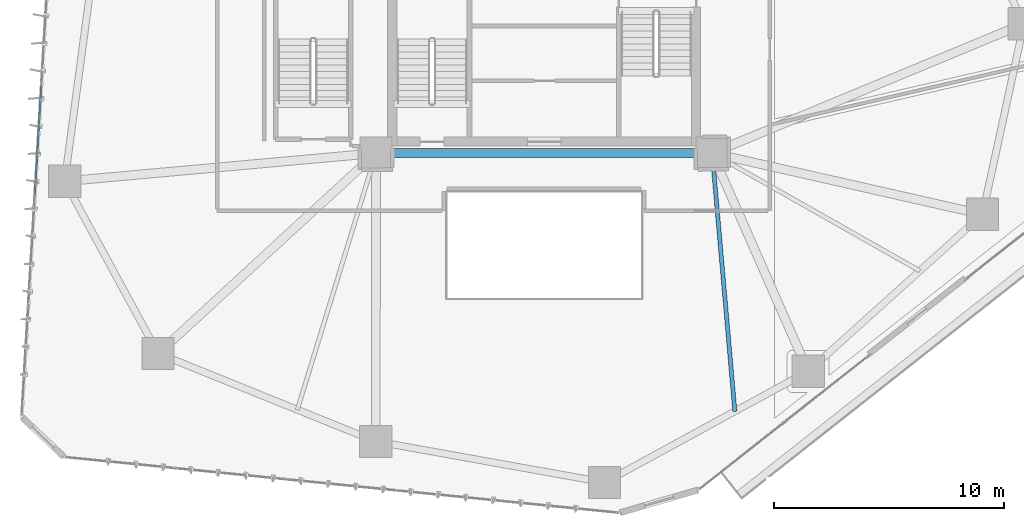
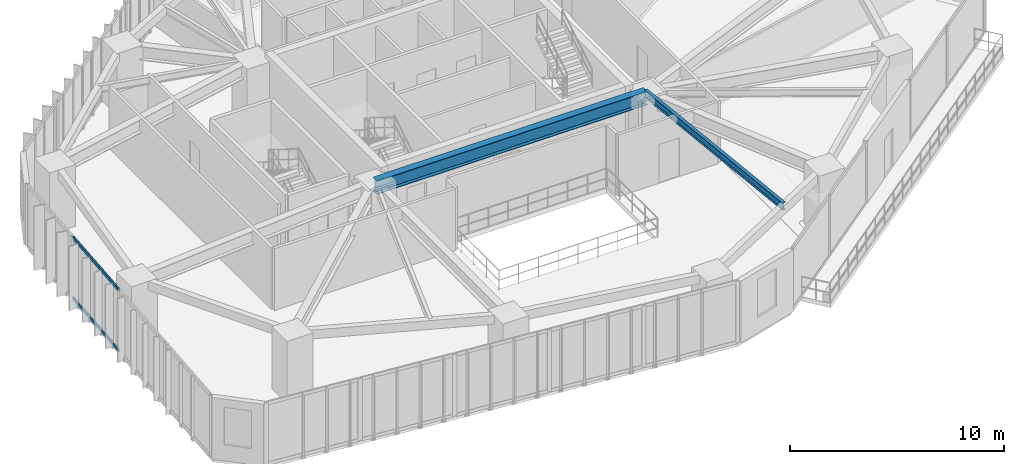
# One storey, part 5 of 24: 2 beams, 2 members, 1 element without a shape of its own.
"""IFC4 building model written with IfcOpenShell, lengths in metres."""

from ifc_helpers import new_model, si_unit, direction, frame, origin, origin_2d, place, context, subcontext, project, spatial, hollow_rectangle, i_section, extrude, source, transform, mapped, material, layer, layer_set, material_profile, profile_set, type_object, type_shapes, element, aggregate, save


model = new_model("IFC4")

# Units and contexts
model_context = context("Model", 3, precision=1e-05, world=origin(), true_north=direction((0.0, 1.0)))
body_context = subcontext(model_context, "Body", "Model", "MODEL_VIEW")
ifc_project = project(units=[si_unit("LENGTHUNIT", "METRE"), si_unit("AREAUNIT", "SQUARE_METRE"), si_unit("VOLUMEUNIT", "CUBIC_METRE"), si_unit("PLANEANGLEUNIT", "RADIAN"), si_unit("MASSUNIT", "GRAM", prefix="KILO")], contexts=[model_context])

# Site, building, storey
site_placement = place(None, origin())
site = spatial("IfcSite", under=ifc_project, at=site_placement, CompositionType="ELEMENT")
building_placement = place(site_placement, origin())
building = spatial("IfcBuilding", under=site, at=building_placement, Name="Talar Marvaseh", CompositionType="ELEMENT")
storey_placement = place(building_placement, frame((0.0, 0.0, 73.39990234375)))
storey = spatial("IfcBuildingStorey", under=building, at=storey_placement, Name="L18", CompositionType="ELEMENT", Elevation=73.39990234375)

# Beams
ifc_material_1 = material(Name="Steel S355", Category="steel")
ifc_material_profile_1 = material_profile(ifc_material_1, i_section(OverallWidth=0.381103515625, OverallDepth=0.77294921875, WebThickness=0.0166015625, FlangeThickness=0.027099609375, at=origin_2d()), Name="W760x257")
ifc_profile_set_1 = profile_set([ifc_material_profile_1], Name="Steel S355")
beam_type_1 = type_object("IfcBeamType", Name="Zone 1 Radial Floor Girder W760x257", PredefinedType="BEAM", material=ifc_profile_set_1)
beam_1_placement = place(storey_placement, frame((18.699951171875, 25.5, 3.133544921875), z_axis=(1.0, 0.0, 0.0), x_axis=(0.0, 1.0, 0.0)))
element("IfcBeam", 1, at=beam_1_placement, inside=storey, type_object=beam_type_1, Name="L18 Zone 1 Radial Floor Girder W760x257", PredefinedType="BEAM", context=body_context, shape_type="SweptSolid", body=[
    extrude(i_section(OverallWidth=0.381103515625, OverallDepth=0.77294921875, WebThickness=0.0166015625, FlangeThickness=0.027099609375, at=origin_2d()), origin(), (0.0, 0.0, 1.0), 14.60009765625),
])
ifc_material_profile_2 = material_profile(ifc_material_1, i_section(OverallWidth=0.179931640625, OverallDepth=0.4130859375, WebThickness=0.009765625, FlangeThickness=0.01611328125, at=origin_2d()), Name="W410x75")
ifc_profile_set_2 = profile_set([ifc_material_profile_2], Name="Steel S355")
beam_type_2 = type_object("IfcBeamType", Name="Zone 1 Secondary Floor Joist W410x75", PredefinedType="JOIST", material=ifc_profile_set_2)
beam_2_placement = place(storey_placement, frame((34.284423828125, 14.28369140625, 3.3134765625), z_axis=(-0.08742678295, 0.996170947992, 0.0), x_axis=(-0.996170947992, -0.08742678295, 0.0)))
element("IfcBeam", 2, at=beam_2_placement, inside=storey, type_object=beam_type_2, Name="L18 Zone 1 Secondary Floor Joist W410x75", PredefinedType="JOIST", context=body_context, shape_type="SweptSolid", body=[
    extrude(i_section(OverallWidth=0.179931640625, OverallDepth=0.4130859375, WebThickness=0.009765625, FlangeThickness=0.01611328125, at=origin_2d()), origin(), (0.0, 0.0, 1.0), 11.259521484375),
])

# Curtain wall, members
ifc_material_2 = material(Name="Architectural Aluminium", Category="aluminium")
ifc_layer = layer(ifc_material_2, 0.219970703125)
ifc_layer_set = layer_set([ifc_layer], Name="Architectural Aluminium")
curtain_wall_type = type_object("IfcCurtainWallType", Name="Unitised Low-E Museum Curtain Wall Z1", PredefinedType="NOTDEFINED", material=ifc_layer_set)
curtain_wall_placement = place(storey_placement, origin())
curtain_wall = element("IfcCurtainWall", 3, at=curtain_wall_placement, inside=storey, type_object=curtain_wall_type, Name="L18 Unitised Low-E Museum Curtain Wall Z1", PredefinedType="NOTDEFINED")
ifc_material_profile_3 = material_profile(ifc_material_2, hollow_rectangle(XDim=0.074951171875, YDim=0.179931640625, WallThickness=0.0048828125, at=origin_2d()), Name="RHS180x75x5")
ifc_profile_set_3 = profile_set([ifc_material_profile_3], Name="Architectural Aluminium")
member_type = type_object("IfcMemberType", Name="Unitised Curtain Wall Transom RHS180x75x5", PredefinedType="USERDEFINED", material=ifc_profile_set_3)
shared_shape = source(origin(), body_context, "Body", "SweptSolid", [
    extrude(hollow_rectangle(XDim=0.074951171875, YDim=0.179931640625, WallThickness=0.0048828125, at=origin_2d()), origin(), (0.0, 0.0, 1.0), 4.736328125),
])
type_shapes(member_type, [shared_shape])
member_1_placement = place(storey_placement, frame((3.8818359375, 23.717529296875, 0.03759765625), z_axis=(0.059380728576, 0.998235407644, 0.0), x_axis=(-0.998235407644, 0.059380728576, 0.0)))
member_1 = element("IfcMember", 4, at=member_1_placement, type_object=member_type, Name="CW-Z1 transom 3.1", ObjectType="TRANSOM", PredefinedType="USERDEFINED", context=body_context, shape_type="MappedRepresentation", body=[
    mapped(shared_shape, transform((0.0, 0.0, 0.0), x_axis=(1.0, 0.0, 0.0), y_axis=(0.0, 1.0, 0.0), z_axis=(0.0, 0.0, 1.0), scale=1.0)),
])
member_2_placement = place(storey_placement, frame((3.8818359375, 23.717529296875, 3.482666015625), z_axis=(0.059380728576, 0.998235407644, 0.0), x_axis=(-0.998235407644, 0.059380728576, 0.0)))
member_2 = element("IfcMember", 5, at=member_2_placement, type_object=member_type, Name="CW-Z1 transom 3.2", ObjectType="TRANSOM", PredefinedType="USERDEFINED", context=body_context, shape_type="MappedRepresentation", body=[
    mapped(shared_shape, transform((0.0, 0.0, 0.0), x_axis=(1.0, 0.0, 0.0), y_axis=(0.0, 1.0, 0.0), z_axis=(0.0, 0.0, 1.0), scale=1.0)),
])
aggregate(curtain_wall, [member_1, member_2])

save(model, "model.ifc")
